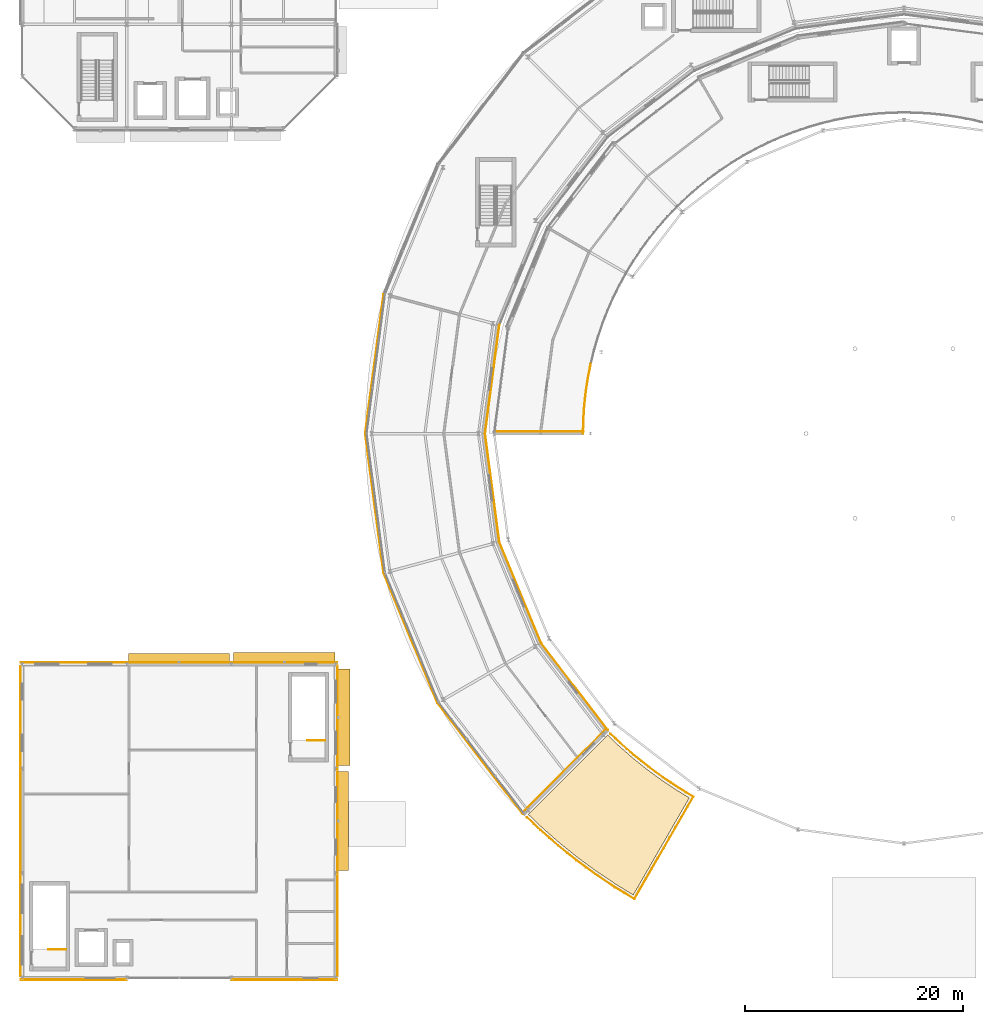
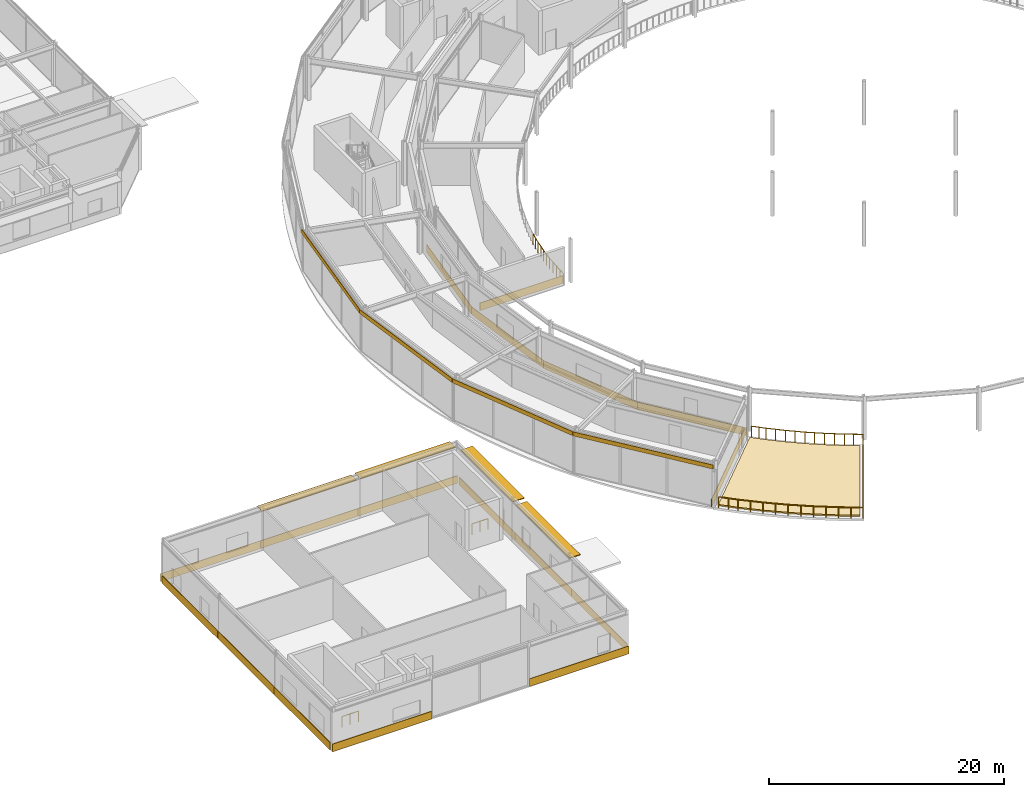
# One storey, part 116 of 133: 22 coverings, 20 railings, 4 shading devices.
"""IFC4 building model written with IfcOpenShell, lengths in metres."""

from ifc_helpers import new_model, si_unit, direction, frame, origin, origin_2d, place, context, subcontext, project, spatial, polyline, rectangle, circle, outline, extrude, material, layer, layer_set, type_object, element, save


model = new_model("IFC4")

# Units and contexts
model_context = context("Model", 3, precision=1e-05, world=origin(), true_north=direction((0.0, 1.0)))
body_context = subcontext(model_context, "Body", "Model", "MODEL_VIEW")
ifc_project = project(units=[si_unit("LENGTHUNIT", "METRE"), si_unit("AREAUNIT", "SQUARE_METRE"), si_unit("VOLUMEUNIT", "CUBIC_METRE"), si_unit("PLANEANGLEUNIT", "RADIAN"), si_unit("MASSUNIT", "GRAM", prefix="KILO")], contexts=[model_context])

# Site, building, storey
site_placement = place(None, origin())
site = spatial("IfcSite", under=ifc_project, at=site_placement, CompositionType="ELEMENT")
building_placement = place(site_placement, origin())
building = spatial("IfcBuilding", under=site, at=building_placement, Name="Almandine Court Research Institute", CompositionType="ELEMENT")
storey_placement = place(building_placement, frame((0.0, 0.0, 9.800048828125)))
storey = spatial("IfcBuildingStorey", under=building, at=storey_placement, Name="L02", CompositionType="ELEMENT", Elevation=9.800048828125)

# Coverings
ifc_material_1 = material(Name="Extruded Cream-Ochre Seismic Terracotta Spandrel", Category="masonry")
ifc_layer_1 = layer(ifc_material_1, 0.054931640625)
ifc_layer_set_1 = layer_set([ifc_layer_1], Name="Extruded Cream-Ochre Seismic Terracotta Spandrel")
covering_type_1 = type_object("IfcCoveringType", Name="Cov-CLAD-TERR", PredefinedType="CLADDING", material=ifc_layer_set_1)
covering_1_placement = place(storey_placement, frame((5.819091796875, 10.876953125, 0.02001953125), z_axis=(0.0, 0.0, 1.0), x_axis=(0.0, 1.0, 0.0)))
element("IfcCovering", 1, at=covering_1_placement, inside=storey, type_object=covering_type_1, Name="L02 Facade Spandrel Cladding Band 23", PredefinedType="CLADDING", context=body_context, shape_type="SweptSolid", body=[
    extrude(rectangle(XDim=9.43701171875, YDim=0.054931640625, at=origin_2d()), origin(), (0.0, 0.0, 1.0), 0.800048828125),
])
covering_2_placement = place(storey_placement, frame((5.819091796875, 20.39990234375, 0.02001953125), z_axis=(0.0, 0.0, 1.0), x_axis=(0.0, 1.0, 0.0)))
element("IfcCovering", 2, at=covering_2_placement, inside=storey, type_object=covering_type_1, Name="L02 Facade Spandrel Cladding Band 24", PredefinedType="CLADDING", context=body_context, shape_type="SweptSolid", body=[
    extrude(rectangle(XDim=9.592041015625, YDim=0.054931640625, at=origin_2d()), origin(), (0.0, 0.0, 1.0), 0.800048828125),
])
covering_3_placement = place(storey_placement, frame((5.819091796875, 29.922119140625, 0.02001953125), z_axis=(0.0, 0.0, 1.0), x_axis=(0.0, 1.0, 0.0)))
element("IfcCovering", 3, at=covering_3_placement, inside=storey, type_object=covering_type_1, Name="L02 Facade Spandrel Cladding Band 25", PredefinedType="CLADDING", context=body_context, shape_type="SweptSolid", body=[
    extrude(rectangle(XDim=9.43701171875, YDim=0.054931640625, at=origin_2d()), origin(), (0.0, 0.0, 1.0), 0.800048828125),
])
covering_4_placement = place(storey_placement, frame((10.719970703125, 34.97998046875, 0.02001953125), z_axis=(0.0, 0.0, 1.0), x_axis=(1.0, 0.0, 0.0)))
element("IfcCovering", 4, at=covering_4_placement, inside=storey, type_object=covering_type_1, Name="L02 Facade Spandrel Cladding Band 26", PredefinedType="CLADDING", context=body_context, shape_type="SweptSolid", body=[
    extrude(rectangle(XDim=9.7509765625, YDim=0.054931640625, at=origin_2d()), origin(), (0.0, 0.0, 1.0), 0.800048828125),
])
covering_5_placement = place(storey_placement, frame((20.39990234375, 34.97998046875, 0.02001953125), z_axis=(0.0, 0.0, 1.0), x_axis=(1.0, 0.0, 0.0)))
element("IfcCovering", 5, at=covering_5_placement, inside=storey, type_object=covering_type_1, Name="L02 Facade Spandrel Cladding Band 27", PredefinedType="CLADDING", context=body_context, shape_type="SweptSolid", body=[
    extrude(rectangle(XDim=9.592041015625, YDim=0.054931640625, at=origin_2d()), origin(), (0.0, 0.0, 1.0), 0.800048828125),
])
covering_6_placement = place(storey_placement, frame((30.0791015625, 34.97998046875, 0.02001953125), z_axis=(0.0, 0.0, 1.0), x_axis=(1.0, 0.0, 0.0)))
element("IfcCovering", 6, at=covering_6_placement, inside=storey, type_object=covering_type_1, Name="L02 Facade Spandrel Cladding Band 28", PredefinedType="CLADDING", context=body_context, shape_type="SweptSolid", body=[
    extrude(rectangle(XDim=9.7509765625, YDim=0.054931640625, at=origin_2d()), origin(), (0.0, 0.0, 1.0), 0.800048828125),
])
covering_7_placement = place(storey_placement, frame((34.969970703125, 10.873046875, 0.02001953125), z_axis=(0.0, 0.0, 1.0), x_axis=(0.0, -1.0, 0.0)))
element("IfcCovering", 7, at=covering_7_placement, inside=storey, type_object=covering_type_1, Name="L02 Facade Spandrel Cladding Band 29", PredefinedType="CLADDING", context=body_context, shape_type="SweptSolid", body=[
    extrude(rectangle(XDim=9.447021484375, YDim=0.054931640625, at=origin_2d()), origin(), (0.0, 0.0, 1.0), 0.800048828125),
])
covering_8_placement = place(storey_placement, frame((34.969970703125, 20.39990234375, 0.02001953125), z_axis=(0.0, 0.0, 1.0), x_axis=(0.0, -1.0, 0.0)))
element("IfcCovering", 8, at=covering_8_placement, inside=storey, type_object=covering_type_1, Name="L02 Facade Spandrel Cladding Band 30", PredefinedType="CLADDING", context=body_context, shape_type="SweptSolid", body=[
    extrude(rectangle(XDim=9.592041015625, YDim=0.054931640625, at=origin_2d()), origin(), (0.0, 0.0, 1.0), 0.800048828125),
])
covering_9_placement = place(storey_placement, frame((34.969970703125, 29.927978515625, 0.02001953125), z_axis=(0.0, 0.0, 1.0), x_axis=(0.0, -1.0, 0.0)))
element("IfcCovering", 9, at=covering_9_placement, inside=storey, type_object=covering_type_1, Name="L02 Facade Spandrel Cladding Band 31", PredefinedType="CLADDING", context=body_context, shape_type="SweptSolid", body=[
    extrude(rectangle(XDim=9.447021484375, YDim=0.054931640625, at=origin_2d()), origin(), (0.0, 0.0, 1.0), 0.800048828125),
])
for number, where, z_axis, x_axis, name in (
    (10, (10.72607421875, 5.830078125, 0.02001953125), (0.0, 0.0, 1.0), (-1.0, 0.0, 0.0), "L02 Facade Spandrel Cladding Band 32"),
    (11, (30.074951171875, 5.830078125, 0.02001953125), (0.0, 0.0, 1.0), (-1.0, 0.0, 0.0), "L02 Facade Spandrel Cladding Band 33"),
):
    element("IfcCovering", number, at=place(storey_placement, frame(where, z_axis=z_axis, x_axis=x_axis)), inside=storey, type_object=covering_type_1, Name=name, PredefinedType="CLADDING", context=body_context, shape_type="SweptSolid", body=[
        extrude(rectangle(XDim=9.740966796875, YDim=0.054931640625, at=origin_2d()), origin(), (0.0, 0.0, 1.0), 0.800048828125),
    ])
covering_10_placement = place(storey_placement, frame((38.361083984375, 62.404052734375, 3.97998046875), z_axis=(0.0, 0.0, 1.0), x_axis=(0.13052619222, 0.991444861374, 0.0)))
element("IfcCovering", 12, at=covering_10_placement, inside=storey, type_object=covering_type_1, Name="L02 Drum Stacked Terracotta Ring Band 11", PredefinedType="CLADDING", context=body_context, shape_type="SweptSolid", body=[
    extrude(rectangle(XDim=12.8779296875, YDim=0.054931640625, at=origin_2d()), origin(), (0.0, 0.0, 1.0), 0.419921875),
])
covering_11_placement = place(storey_placement, frame((49.16796875, 60.98095703125, 0.02001953125), z_axis=(0.0, 0.0, 1.0), x_axis=(-0.13052619222, -0.991444861374, 0.0)))
element("IfcCovering", 13, at=covering_11_placement, inside=storey, type_object=covering_type_1, Name="L02 Facade Spandrel Cladding Band 363", PredefinedType="CLADDING", context=body_context, shape_type="SweptSolid", body=[
    extrude(rectangle(XDim=10.080078125, YDim=0.054931640625, at=origin_2d()), origin(), (0.0, 0.0, 1.0), 0.800048828125),
])
covering_12_placement = place(storey_placement, frame((38.361083984375, 49.595947265625, 3.97998046875), z_axis=(0.0, 0.0, 1.0), x_axis=(-0.13052619222, 0.991444861374, 0.0)))
element("IfcCovering", 14, at=covering_12_placement, inside=storey, type_object=covering_type_1, Name="L02 Drum Stacked Terracotta Ring Band 12", PredefinedType="CLADDING", context=body_context, shape_type="SweptSolid", body=[
    extrude(rectangle(XDim=12.8779296875, YDim=0.054931640625, at=origin_2d()), origin(), (0.0, 0.0, 1.0), 0.419921875),
])
covering_13_placement = place(storey_placement, frame((49.16796875, 51.01904296875, 0.02001953125), z_axis=(0.0, 0.0, 1.0), x_axis=(0.13052619222, -0.991444861374, 0.0)))
element("IfcCovering", 15, at=covering_13_placement, inside=storey, type_object=covering_type_1, Name="L02 Facade Spandrel Cladding Band 365", PredefinedType="CLADDING", context=body_context, shape_type="SweptSolid", body=[
    extrude(rectangle(XDim=10.080078125, YDim=0.054931640625, at=origin_2d()), origin(), (0.0, 0.0, 1.0), 0.800048828125),
])
covering_14_placement = place(storey_placement, frame((41.676025390625, 37.22607421875, 3.97998046875), z_axis=(0.0, 0.0, 1.0), x_axis=(-0.382683432365, 0.923879532511, 0.0)))
element("IfcCovering", 16, at=covering_14_placement, inside=storey, type_object=covering_type_1, Name="L02 Drum Stacked Terracotta Ring Band 13", PredefinedType="CLADDING", context=body_context, shape_type="SweptSolid", body=[
    extrude(rectangle(XDim=12.8779296875, YDim=0.054931640625, at=origin_2d()), origin(), (0.0, 0.0, 1.0), 0.419921875),
])
covering_15_placement = place(storey_placement, frame((51.74609375, 41.39697265625, 0.02001953125), z_axis=(0.0, 0.0, 1.0), x_axis=(0.382683432365, -0.923879532511, 0.0)))
element("IfcCovering", 17, at=covering_15_placement, inside=storey, type_object=covering_type_1, Name="L02 Facade Spandrel Cladding Band 367", PredefinedType="CLADDING", context=body_context, shape_type="SweptSolid", body=[
    extrude(rectangle(XDim=10.080078125, YDim=0.054931640625, at=origin_2d()), origin(), (0.0, 0.0, 1.0), 0.800048828125),
])
covering_16_placement = place(storey_placement, frame((48.080078125, 26.135009765625, 3.97998046875), z_axis=(0.0, 0.0, 1.0), x_axis=(-0.608761429009, 0.793353340291, 0.0)))
element("IfcCovering", 18, at=covering_16_placement, inside=storey, type_object=covering_type_1, Name="L02 Drum Stacked Terracotta Ring Band 14", PredefinedType="CLADDING", context=body_context, shape_type="SweptSolid", body=[
    extrude(rectangle(XDim=12.8779296875, YDim=0.054931640625, at=origin_2d()), origin(), (0.0, 0.0, 1.0), 0.419921875),
])
covering_17_placement = place(storey_placement, frame((56.72607421875, 32.77001953125, 0.02001953125), z_axis=(0.0, 0.0, 1.0), x_axis=(0.608761429009, -0.793353340291, 0.0)))
element("IfcCovering", 19, at=covering_17_placement, inside=storey, type_object=covering_type_1, Name="L02 Facade Spandrel Cladding Band 369", PredefinedType="CLADDING", context=body_context, shape_type="SweptSolid", body=[
    extrude(rectangle(XDim=10.080078125, YDim=0.054931640625, at=origin_2d()), origin(), (0.0, 0.0, 1.0), 0.800048828125),
])
covering_18_placement = place(storey_placement, frame((55.76611328125, 25.008056640625, 0.02001953125), z_axis=(0.0, 0.0, 1.0), x_axis=(0.707106781187, 0.707106781187, 0.0)))
element("IfcCovering", 20, at=covering_18_placement, inside=storey, type_object=covering_type_1, Name="L02 Facade Spandrel Cladding Band 371", PredefinedType="CLADDING", context=body_context, shape_type="SweptSolid", body=[
    extrude(rectangle(XDim=10.951904296875, YDim=0.054931640625, at=origin_2d()), origin(), (0.0, 0.0, 1.0), 0.800048828125),
])
covering_19_placement = place(storey_placement, frame((53.47509765625, 56.169921875, 0.02001953125), z_axis=(0.0, 0.0, 1.0), x_axis=(1.0, 0.0, 0.0)))
element("IfcCovering", 21, at=covering_19_placement, inside=storey, type_object=covering_type_1, Name="L02 Facade Spandrel Cladding Band 463", PredefinedType="CLADDING", context=body_context, shape_type="SweptSolid", body=[
    extrude(rectangle(XDim=8.201904296875, YDim=0.054931640625, at=origin_2d()), origin(), (0.0, 0.0, 1.0), 0.800048828125),
])
ifc_material_2 = material(Name="Extensive Andean Sedum Planted Green Roof Build-Up")
ifc_layer_2 = layer(ifc_material_2, 0.139892578125)
ifc_layer_set_2 = layer_set([ifc_layer_2], Name="Extensive Andean Sedum Planted Green Roof Build-Up")
covering_type_2 = type_object("IfcCoveringType", Name="Cov-ROOF-GREEN", PredefinedType="ROOFING", material=ifc_layer_set_2)
covering_20_placement = place(storey_placement, origin())
element("IfcCovering", 22, at=covering_20_placement, inside=storey, type_object=covering_type_2, Name="L02 Planted Green Roof Covering 13", PredefinedType="ROOFING", context=body_context, shape_type="SweptSolid", body=[
    extrude(outline(polyline([(52.498046875, 21.0029296875), (59.781005859375, 28.285888671875), (60.75390625, 27.35693359375), (62.028076171875, 26.239013671875), (63.35009765625, 25.177978515625), (64.716064453125, 24.176025390625), (66.1259765625, 23.23388671875), (67.27587890625, 22.535888671875), (62.1259765625, 13.616943359375), (60.592041015625, 14.547119140625), (58.80908203125, 15.739013671875), (57.0791015625, 17.007080078125), (55.406982421875, 18.34912109375), (53.7939453125, 19.762939453125), (52.498046875, 21.0029296875)])), origin(), (0.0, 0.0, 1.0), 0.139892578125),
])

# Railings
ifc_material_3 = material(Name="Architectural Powder-Coated Aluminium Balustrade", Category="aluminium")
railing_type_1 = type_object("IfcRailingType", Name="Rail-BAL-EXT", PredefinedType="BALUSTRADE", material=ifc_material_3)
railing_1_placement = place(storey_placement, frame((60.044921875, 28.407958984375, 0.0)))
element("IfcRailing", 23, at=railing_1_placement, inside=storey, type_object=railing_type_1, Name="L02 Terrace Perimeter Balustrade 063", PredefinedType="BALUSTRADE", context=body_context, shape_type="SweptSolid", body=[
    extrude(circle(Radius=0.02392578125, at=origin_2d()), frame((0.0, 0.0, 1.1259765625), z_axis=(0.72277086017, -0.691087753971, 0.0), x_axis=(0.691087753971, 0.72277086017, 0.0)), (0.0, 0.0, 1.0), 1.23291015625),
    extrude(circle(Radius=0.02099609375, at=origin_2d()), origin(), (0.0, 0.0, 1.0), 1.101806640625),
    extrude(circle(Radius=0.02099609375, at=origin_2d()), frame((0.445556640625, -0.426025390625, 0.0)), (0.0, 0.0, 1.0), 1.101806640625),
    extrude(circle(Radius=0.02099609375, at=origin_2d()), frame((0.89111328125, -0.85205078125, 0.0)), (0.0, 0.0, 1.0), 1.101806640625),
])
railing_2_placement = place(storey_placement, frame((60.93603515625, 27.555908203125, 0.0)))
element("IfcRailing", 24, at=railing_2_placement, inside=storey, type_object=railing_type_1, Name="L02 Terrace Perimeter Balustrade 064", PredefinedType="BALUSTRADE", context=body_context, shape_type="SweptSolid", body=[
    extrude(circle(Radius=0.02392578125, at=origin_2d()), frame((0.0, 0.0, 1.1259765625), z_axis=(0.751920530231, -0.659253757074, 0.0), x_axis=(0.659253757074, 0.751920530231, 0.0)), (0.0, 0.0, 1.0), 1.68359375),
    extrude(circle(Radius=0.02099609375, at=origin_2d()), origin(), (0.0, 0.0, 1.0), 1.101806640625),
    extrude(circle(Radius=0.02099609375, at=origin_2d()), frame((0.6328125, -0.554931640625, 0.0)), (0.0, 0.0, 1.0), 1.101806640625),
    extrude(circle(Radius=0.02099609375, at=origin_2d()), frame((1.265869140625, -1.10986328125, 0.0)), (0.0, 0.0, 1.0), 1.101806640625),
])
railing_3_placement = place(storey_placement, frame((62.201904296875, 26.446044921875, 0.0)))
element("IfcRailing", 25, at=railing_3_placement, inside=storey, type_object=railing_type_1, Name="L02 Terrace Perimeter Balustrade 065", PredefinedType="BALUSTRADE", context=body_context, shape_type="SweptSolid", body=[
    extrude(circle(Radius=0.02392578125, at=origin_2d()), frame((0.0, 0.0, 1.1259765625), z_axis=(0.779890929123, -0.625915440512, 0.0), x_axis=(0.625915440512, 0.779890929123, 0.0)), (0.0, 0.0, 1.0), 1.682373046875),
    extrude(circle(Radius=0.02099609375, at=origin_2d()), origin(), (0.0, 0.0, 1.0), 1.101806640625),
    extrude(circle(Radius=0.02099609375, at=origin_2d()), frame((0.656005859375, -0.5263671875, 0.0)), (0.0, 0.0, 1.0), 1.101806640625),
    extrude(circle(Radius=0.02099609375, at=origin_2d()), frame((1.31201171875, -1.052978515625, 0.0)), (0.0, 0.0, 1.0), 1.101806640625),
])
railing_4_placement = place(storey_placement, frame((63.513916015625, 25.39306640625, 0.0)))
element("IfcRailing", 26, at=railing_4_placement, inside=storey, type_object=railing_type_1, Name="L02 Terrace Perimeter Balustrade 066", PredefinedType="BALUSTRADE", context=body_context, shape_type="SweptSolid", body=[
    extrude(circle(Radius=0.02392578125, at=origin_2d()), frame((0.0, 0.0, 1.1259765625), z_axis=(0.806169797472, -0.591684255025, 0.0), x_axis=(0.591684255025, 0.806169797472, 0.0)), (0.0, 0.0, 1.0), 1.68359375),
    extrude(circle(Radius=0.02099609375, at=origin_2d()), origin(), (0.0, 0.0, 1.0), 1.101806640625),
    extrude(circle(Radius=0.02099609375, at=origin_2d()), frame((0.6787109375, -0.498046875, 0.0)), (0.0, 0.0, 1.0), 1.101806640625),
    extrude(circle(Radius=0.02099609375, at=origin_2d()), frame((1.357177734375, -0.99609375, 0.0)), (0.0, 0.0, 1.0), 1.101806640625),
])
railing_5_placement = place(storey_placement, frame((64.87109375, 24.39697265625, 0.0)))
element("IfcRailing", 27, at=railing_5_placement, inside=storey, type_object=railing_type_1, Name="L02 Terrace Perimeter Balustrade 067", PredefinedType="BALUSTRADE", context=body_context, shape_type="SweptSolid", body=[
    extrude(circle(Radius=0.02392578125, at=origin_2d()), frame((0.0, 0.0, 1.1259765625), z_axis=(0.831559123133, -0.555436247227, 0.0), x_axis=(0.555436247227, 0.831559123133, 0.0)), (0.0, 0.0, 1.0), 1.683349609375),
    extrude(circle(Radius=0.02099609375, at=origin_2d()), origin(), (0.0, 0.0, 1.0), 1.101806640625),
    extrude(circle(Radius=0.02099609375, at=origin_2d()), frame((0.699951171875, -0.467529296875, 0.0)), (0.0, 0.0, 1.0), 1.101806640625),
    extrude(circle(Radius=0.02099609375, at=origin_2d()), frame((1.39990234375, -0.93505859375, 0.0)), (0.0, 0.0, 1.0), 1.101806640625),
])
railing_6_placement = place(storey_placement, frame((66.27099609375, 23.4619140625, 0.0)))
element("IfcRailing", 28, at=railing_6_placement, inside=storey, type_object=railing_type_1, Name="L02 Terrace Perimeter Balustrade 068", PredefinedType="BALUSTRADE", context=body_context, shape_type="SweptSolid", body=[
    extrude(circle(Radius=0.02392578125, at=origin_2d()), frame((0.0, 0.0, 1.1259765625), z_axis=(0.854903259764, -0.518787448233, 0.0), x_axis=(0.518787448233, 0.854903259764, 0.0)), (0.0, 0.0, 1.0), 1.603759765625),
    extrude(circle(Radius=0.02099609375, at=origin_2d()), origin(), (0.0, 0.0, 1.0), 1.101806640625),
    extrude(circle(Radius=0.02099609375, at=origin_2d()), frame((0.685546875, -0.416015625, 0.0)), (0.0, 0.0, 1.0), 1.101806640625),
    extrude(circle(Radius=0.02099609375, at=origin_2d()), frame((1.37109375, -0.83203125, 0.0)), (0.0, 0.0, 1.0), 1.101806640625),
])
railing_7_placement = place(storey_placement, frame((67.64208984375, 22.6298828125, 0.0)))
element("IfcRailing", 29, at=railing_7_placement, inside=storey, type_object=railing_type_1, Name="L02 Terrace Perimeter Balustrade 069", PredefinedType="BALUSTRADE", context=body_context, shape_type="SweptSolid", body=[
    extrude(circle(Radius=0.02392578125, at=origin_2d()), frame((0.0, 0.0, 1.1259765625), z_axis=(-0.500041546612, -0.866001415508, 0.0), x_axis=(0.866001415508, -0.500041546612, 0.0)), (0.0, 0.0, 1.0), 10.83935546875),
    extrude(circle(Radius=0.02099609375, at=origin_2d()), origin(), (0.0, 0.0, 1.0), 1.101806640625),
    extrude(circle(Radius=0.02099609375, at=origin_2d()), frame((-0.5419921875, -0.938720703125, 0.0)), (0.0, 0.0, 1.0), 1.101806640625),
    extrude(circle(Radius=0.02099609375, at=origin_2d()), frame((-1.083984375, -1.87744140625, 0.0)), (0.0, 0.0, 1.0), 1.101806640625),
    extrude(circle(Radius=0.02099609375, at=origin_2d()), frame((-1.6259765625, -2.816162109375, 0.0)), (0.0, 0.0, 1.0), 1.101806640625),
    extrude(circle(Radius=0.02099609375, at=origin_2d()), frame((-2.16796875, -3.7548828125, 0.0)), (0.0, 0.0, 1.0), 1.101806640625),
    extrude(circle(Radius=0.02099609375, at=origin_2d()), frame((-2.7099609375, -4.693359375, 0.0)), (0.0, 0.0, 1.0), 1.101806640625),
    extrude(circle(Radius=0.02099609375, at=origin_2d()), frame((-3.252197265625, -5.632080078125, 0.0)), (0.0, 0.0, 1.0), 1.101806640625),
    extrude(circle(Radius=0.02099609375, at=origin_2d()), frame((-3.794189453125, -6.57080078125, 0.0)), (0.0, 0.0, 1.0), 1.101806640625),
    extrude(circle(Radius=0.02099609375, at=origin_2d()), frame((-4.336181640625, -7.509521484375, 0.0)), (0.0, 0.0, 1.0), 1.101806640625),
    extrude(circle(Radius=0.02099609375, at=origin_2d()), frame((-4.878173828125, -8.4482421875, 0.0)), (0.0, 0.0, 1.0), 1.101806640625),
    extrude(circle(Radius=0.02099609375, at=origin_2d()), frame((-5.420166015625, -9.386962890625, 0.0)), (0.0, 0.0, 1.0), 1.101806640625),
])
railing_8_placement = place(storey_placement, frame((62.221923828125, 13.242919921875, 0.0)))
element("IfcRailing", 30, at=railing_8_placement, inside=storey, type_object=railing_type_1, Name="L02 Terrace Perimeter Balustrade 070", PredefinedType="BALUSTRADE", context=body_context, shape_type="SweptSolid", body=[
    extrude(circle(Radius=0.02392578125, at=origin_2d()), frame((0.0, 0.0, 1.1259765625), z_axis=(-0.855096704819, 0.518468538493, 0.0), x_axis=(-0.518468538493, -0.855096704819, 0.0)), (0.0, 0.0, 1.0), 2.07568359375),
    extrude(circle(Radius=0.02099609375, at=origin_2d()), origin(), (0.0, 0.0, 1.0), 1.101806640625),
    extrude(circle(Radius=0.02099609375, at=origin_2d()), frame((-0.887451171875, 0.5380859375, 0.0)), (0.0, 0.0, 1.0), 1.101806640625),
    extrude(circle(Radius=0.02099609375, at=origin_2d()), frame((-1.77490234375, 1.076171875, 0.0)), (0.0, 0.0, 1.0), 1.101806640625),
])
railing_9_placement = place(storey_placement, frame((60.447021484375, 14.319091796875, 0.0)))
element("IfcRailing", 31, at=railing_9_placement, inside=storey, type_object=railing_type_1, Name="L02 Terrace Perimeter Balustrade 071", PredefinedType="BALUSTRADE", context=body_context, shape_type="SweptSolid", body=[
    extrude(circle(Radius=0.02392578125, at=origin_2d()), frame((0.0, 0.0, 1.1259765625), z_axis=(-0.831265842428, 0.555875075186, 0.0), x_axis=(-0.555875075186, -0.831265842428, 0.0)), (0.0, 0.0, 1.0), 2.156982421875),
    extrude(circle(Radius=0.02099609375, at=origin_2d()), origin(), (0.0, 0.0, 1.0), 1.101806640625),
    extrude(circle(Radius=0.02099609375, at=origin_2d()), frame((-0.896484375, 0.599609375, 0.0)), (0.0, 0.0, 1.0), 1.101806640625),
    extrude(circle(Radius=0.02099609375, at=origin_2d()), frame((-1.79296875, 1.198974609375, 0.0)), (0.0, 0.0, 1.0), 1.101806640625),
])
railing_10_placement = place(storey_placement, frame((58.654052734375, 15.51806640625, 0.0)))
element("IfcRailing", 32, at=railing_10_placement, inside=storey, type_object=railing_type_1, Name="L02 Terrace Perimeter Balustrade 072", PredefinedType="BALUSTRADE", context=body_context, shape_type="SweptSolid", body=[
    extrude(circle(Radius=0.02392578125, at=origin_2d()), frame((0.0, 0.0, 1.1259765625), z_axis=(-0.806703737756, 0.590956072387, 0.0), x_axis=(-0.590956072387, -0.806703737756, 0.0)), (0.0, 0.0, 1.0), 2.15576171875),
    extrude(circle(Radius=0.02099609375, at=origin_2d()), origin(), (0.0, 0.0, 1.0), 1.101806640625),
    extrude(circle(Radius=0.02099609375, at=origin_2d()), frame((-0.86962890625, 0.636962890625, 0.0)), (0.0, 0.0, 1.0), 1.101806640625),
    extrude(circle(Radius=0.02099609375, at=origin_2d()), frame((-1.739013671875, 1.27392578125, 0.0)), (0.0, 0.0, 1.0), 1.101806640625),
])
railing_11_placement = place(storey_placement, frame((56.9150390625, 16.7919921875, 0.0)))
element("IfcRailing", 33, at=railing_11_placement, inside=storey, type_object=railing_type_1, Name="L02 Terrace Perimeter Balustrade 073", PredefinedType="BALUSTRADE", context=body_context, shape_type="SweptSolid", body=[
    extrude(circle(Radius=0.02392578125, at=origin_2d()), frame((0.0, 0.0, 1.1259765625), z_axis=(-0.779873964339, 0.625936578054, 0.0), x_axis=(-0.625936578054, -0.779873964339, 0.0)), (0.0, 0.0, 1.0), 2.156982421875),
    extrude(circle(Radius=0.02099609375, at=origin_2d()), origin(), (0.0, 0.0, 1.0), 1.101806640625),
    extrude(circle(Radius=0.02099609375, at=origin_2d()), frame((-0.841064453125, 0.675048828125, 0.0)), (0.0, 0.0, 1.0), 1.101806640625),
    extrude(circle(Radius=0.02099609375, at=origin_2d()), frame((-1.68212890625, 1.35009765625, 0.0)), (0.0, 0.0, 1.0), 1.101806640625),
])
railing_12_placement = place(storey_placement, frame((55.23291015625, 18.14208984375, 0.0)))
element("IfcRailing", 34, at=railing_12_placement, inside=storey, type_object=railing_type_1, Name="L02 Terrace Perimeter Balustrade 074", PredefinedType="BALUSTRADE", context=body_context, shape_type="SweptSolid", body=[
    extrude(circle(Radius=0.02392578125, at=origin_2d()), frame((0.0, 0.0, 1.1259765625), z_axis=(-0.751741386385, 0.659458025954, 0.0), x_axis=(-0.659458025954, -0.751741386385, 0.0)), (0.0, 0.0, 1.0), 2.156005859375),
    extrude(circle(Radius=0.02099609375, at=origin_2d()), origin(), (0.0, 0.0, 1.0), 1.101806640625),
    extrude(circle(Radius=0.02099609375, at=origin_2d()), frame((-0.810546875, 0.7109375, 0.0)), (0.0, 0.0, 1.0), 1.101806640625),
    extrude(circle(Radius=0.02099609375, at=origin_2d()), frame((-1.620849609375, 1.421875, 0.0)), (0.0, 0.0, 1.0), 1.101806640625),
])
railing_13_placement = place(storey_placement, frame((53.612060546875, 19.56396484375, 0.0)))
element("IfcRailing", 35, at=railing_13_placement, inside=storey, type_object=railing_type_1, Name="L02 Terrace Perimeter Balustrade 075", PredefinedType="BALUSTRADE", context=body_context, shape_type="SweptSolid", body=[
    extrude(circle(Radius=0.02392578125, at=origin_2d()), frame((0.0, 0.0, 1.1259765625), z_axis=(-0.722812767445, 0.691043922786, 0.0), x_axis=(-0.691043922786, -0.722812767445, 0.0)), (0.0, 0.0, 1.0), 1.7060546875),
    extrude(circle(Radius=0.02099609375, at=origin_2d()), origin(), (0.0, 0.0, 1.0), 1.101806640625),
    extrude(circle(Radius=0.02099609375, at=origin_2d()), frame((-0.61669921875, 0.58935546875, 0.0)), (0.0, 0.0, 1.0), 1.101806640625),
    extrude(circle(Radius=0.02099609375, at=origin_2d()), frame((-1.233154296875, 1.178955078125, 0.0)), (0.0, 0.0, 1.0), 1.101806640625),
])
ifc_material_4 = material(Name="Powder-Coated Steel Stair and Atrium Balustrade", Category="steel")
railing_type_2 = type_object("IfcRailingType", Name="Rail-GUARD-INT", PredefinedType="BALUSTRADE", material=ifc_material_4)
for number, where, name in (
    (36, (10.0, 8.60009765625, 0.0), "L02 ST-01 top well guard 1"),
    (37, (33.800048828125, 27.800048828125, 0.0), "L02 ST-02 top well guard 1"),
):
    element("IfcRailing", number, at=place(storey_placement, frame(where)), inside=storey, type_object=railing_type_2, Name=name, PredefinedType="BALUSTRADE", context=body_context, shape_type="SweptSolid", body=[
        extrude(circle(Radius=0.02392578125, at=origin_2d()), frame((0.0, 0.0, 1.09619140625), z_axis=(-1.0, 0.0, 0.0), x_axis=(0.0, -1.0, 0.0)), (0.0, 0.0, 1.0), 1.580078125),
        extrude(circle(Radius=0.02099609375, at=origin_2d()), origin(), (0.0, 0.0, 1.0), 1.072021484375),
        extrude(circle(Radius=0.02099609375, at=origin_2d()), frame((-0.7900390625, 0.0, 0.0)), (0.0, 0.0, 1.0), 1.072021484375),
        extrude(circle(Radius=0.02099609375, at=origin_2d()), frame((-1.580078125, 0.0, 0.0)), (0.0, 0.0, 1.0), 1.072021484375),
    ])
railing_14_placement = place(storey_placement, frame((58.218994140625, 62.381103515625, 0.0)))
element("IfcRailing", 38, at=railing_14_placement, inside=storey, type_object=railing_type_2, Name="L02 Atrium Gallery Void Balustrade 074", PredefinedType="BALUSTRADE", context=body_context, shape_type="SweptSolid", body=[
    extrude(circle(Radius=0.02392578125, at=origin_2d()), frame((0.0, 0.0, 1.09619140625), z_axis=(-0.195021534149, -0.980798960653, 0.0), x_axis=(0.980798960653, -0.195021534149, 0.0)), (0.0, 0.0, 1.0), 1.286865234375),
    extrude(circle(Radius=0.02099609375, at=origin_2d()), origin(), (0.0, 0.0, 1.0), 1.072021484375),
    extrude(circle(Radius=0.02099609375, at=origin_2d()), frame((-0.12548828125, -0.631103515625, 0.0)), (0.0, 0.0, 1.0), 1.072021484375),
    extrude(circle(Radius=0.02099609375, at=origin_2d()), frame((-0.2509765625, -1.26220703125, 0.0)), (0.0, 0.0, 1.0), 1.072021484375),
])
railing_15_placement = place(storey_placement, frame((57.968017578125, 61.118896484375, 0.0)))
element("IfcRailing", 39, at=railing_15_placement, inside=storey, type_object=railing_type_2, Name="L02 Atrium Gallery Void Balustrade 075", PredefinedType="BALUSTRADE", context=body_context, shape_type="SweptSolid", body=[
    extrude(circle(Radius=0.02392578125, at=origin_2d()), frame((0.0, 0.0, 1.09619140625), z_axis=(-0.152442341489, -0.988312365865, 0.0), x_axis=(0.988312365865, -0.152442341489, 0.0)), (0.0, 0.0, 1.0), 1.2861328125),
    extrude(circle(Radius=0.02099609375, at=origin_2d()), origin(), (0.0, 0.0, 1.0), 1.072021484375),
    extrude(circle(Radius=0.02099609375, at=origin_2d()), frame((-0.09814453125, -0.635498046875, 0.0)), (0.0, 0.0, 1.0), 1.072021484375),
    extrude(circle(Radius=0.02099609375, at=origin_2d()), frame((-0.196044921875, -1.27099609375, 0.0)), (0.0, 0.0, 1.0), 1.072021484375),
])
railing_16_placement = place(storey_placement, frame((57.77197265625, 59.847900390625, 0.0)))
element("IfcRailing", 40, at=railing_16_placement, inside=storey, type_object=railing_type_2, Name="L02 Atrium Gallery Void Balustrade 076", PredefinedType="BALUSTRADE", context=body_context, shape_type="SweptSolid", body=[
    extrude(circle(Radius=0.02392578125, at=origin_2d()), frame((0.0, 0.0, 1.09619140625), z_axis=(-0.108744172855, -0.994069768613, 0.0), x_axis=(0.994069768613, -0.108744172855, 0.0)), (0.0, 0.0, 1.0), 1.286376953125),
    extrude(circle(Radius=0.02099609375, at=origin_2d()), origin(), (0.0, 0.0, 1.0), 1.072021484375),
    extrude(circle(Radius=0.02099609375, at=origin_2d()), frame((-0.06982421875, -0.639404296875, 0.0)), (0.0, 0.0, 1.0), 1.072021484375),
    extrude(circle(Radius=0.02099609375, at=origin_2d()), frame((-0.139892578125, -1.27880859375, 0.0)), (0.0, 0.0, 1.0), 1.072021484375),
])
railing_17_placement = place(storey_placement, frame((57.632080078125, 58.569091796875, 0.0)))
element("IfcRailing", 41, at=railing_17_placement, inside=storey, type_object=railing_type_2, Name="L02 Atrium Gallery Void Balustrade 077", PredefinedType="BALUSTRADE", context=body_context, shape_type="SweptSolid", body=[
    extrude(circle(Radius=0.02392578125, at=origin_2d()), frame((0.0, 0.0, 1.09619140625), z_axis=(-0.065309281592, -0.997865069906, 0.0), x_axis=(0.997865069906, -0.065309281592, 0.0)), (0.0, 0.0, 1.0), 1.285888671875),
    extrude(circle(Radius=0.02099609375, at=origin_2d()), origin(), (0.0, 0.0, 1.0), 1.072021484375),
    extrude(circle(Radius=0.02099609375, at=origin_2d()), frame((-0.0419921875, -0.6416015625, 0.0)), (0.0, 0.0, 1.0), 1.072021484375),
    extrude(circle(Radius=0.02099609375, at=origin_2d()), frame((-0.083984375, -1.283203125, 0.0)), (0.0, 0.0, 1.0), 1.072021484375),
])
railing_18_placement = place(storey_placement, frame((57.548095703125, 57.285888671875, 0.0)))
element("IfcRailing", 42, at=railing_18_placement, inside=storey, type_object=railing_type_2, Name="L02 Atrium Gallery Void Balustrade 078", PredefinedType="BALUSTRADE", context=body_context, shape_type="SweptSolid", body=[
    extrude(circle(Radius=0.02392578125, at=origin_2d()), frame((0.0, 0.0, 1.09619140625), z_axis=(-0.021828858561, -0.999761722079, 0.0), x_axis=(0.999761722079, -0.021828858561, 0.0)), (0.0, 0.0, 1.0), 1.2861328125),
    extrude(circle(Radius=0.02099609375, at=origin_2d()), origin(), (0.0, 0.0, 1.0), 1.072021484375),
    extrude(circle(Radius=0.02099609375, at=origin_2d()), frame((-0.01416015625, -0.64306640625, 0.0)), (0.0, 0.0, 1.0), 1.072021484375),
    extrude(circle(Radius=0.02099609375, at=origin_2d()), frame((-0.028076171875, -1.285888671875, 0.0)), (0.0, 0.0, 1.0), 1.072021484375),
])

# Shading devices
ifc_material_5 = material(Name="Precast GFRC Chhajja Sunshade and Acoustic Louvre", Category="concrete")
ifc_layer_3 = layer(ifc_material_5, 0.080078125)
ifc_layer_set_3 = layer_set([ifc_layer_3], Name="Precast GFRC Chhajja Sunshade and Acoustic Louvre")
shading_device_type_1 = type_object("IfcShadingDeviceType", Name="Shd-SD-03", PredefinedType="AWNING", material=ifc_layer_set_3)
shading_device_1_placement = place(storey_placement, frame((35.510009765625, 29.927978515625, 3.783935546875), z_axis=(0.0, 0.0, 1.0), x_axis=(0.0, -1.0, 0.0)))
element("IfcShadingDevice", 43, at=shading_device_1_placement, inside=storey, type_object=shading_device_type_1, Name="L02 Projecting Chhajja Sunshade 11", PredefinedType="AWNING", context=body_context, shape_type="SweptSolid", body=[
    extrude(rectangle(XDim=8.85693359375, YDim=1.14990234375, at=origin_2d()), origin(), (0.0, 0.0, 1.0), 0.080078125),
])
ifc_layer_4 = layer(ifc_material_5, 0.080078125)
ifc_layer_set_4 = layer_set([ifc_layer_4], Name="Precast GFRC Chhajja Sunshade and Acoustic Louvre")
shading_device_type_2 = type_object("IfcShadingDeviceType", Name="Shd-SD-04", PredefinedType="AWNING", material=ifc_layer_set_4)
shading_device_2_placement = place(storey_placement, frame((20.39990234375, 35.3701171875, 3.783935546875), z_axis=(0.0, 0.0, 1.0), x_axis=(1.0, 0.0, 0.0)))
element("IfcShadingDevice", 44, at=shading_device_2_placement, inside=storey, type_object=shading_device_type_2, Name="L02 Projecting Chhajja Sunshade 8", PredefinedType="AWNING", context=body_context, shape_type="SweptSolid", body=[
    extrude(rectangle(XDim=9.241943359375, YDim=0.85009765625, at=origin_2d()), origin(), (0.0, 0.0, 1.0), 0.080078125),
])
ifc_layer_5 = layer(ifc_material_5, 0.080078125)
ifc_layer_set_5 = layer_set([ifc_layer_5], Name="Precast GFRC Chhajja Sunshade and Acoustic Louvre")
shading_device_type_3 = type_object("IfcShadingDeviceType", Name="Shd-SD-05", PredefinedType="AWNING", material=ifc_layer_set_5)
shading_device_3_placement = place(storey_placement, frame((30.0791015625, 35.419921875, 3.783935546875), z_axis=(0.0, 0.0, 1.0), x_axis=(1.0, 0.0, 0.0)))
element("IfcShadingDevice", 45, at=shading_device_3_placement, inside=storey, type_object=shading_device_type_3, Name="L02 Projecting Chhajja Sunshade 9", PredefinedType="AWNING", context=body_context, shape_type="SweptSolid", body=[
    extrude(rectangle(XDim=9.321044921875, YDim=0.949951171875, at=origin_2d()), origin(), (0.0, 0.0, 1.0), 0.080078125),
])
ifc_layer_6 = layer(ifc_material_5, 0.080078125)
ifc_layer_set_6 = layer_set([ifc_layer_6], Name="Precast GFRC Chhajja Sunshade and Acoustic Louvre")
shading_device_type_4 = type_object("IfcShadingDeviceType", Name="Shd-SD-06", PredefinedType="AWNING", material=ifc_layer_set_6)
shading_device_4_placement = place(storey_placement, frame((35.4599609375, 20.39990234375, 3.783935546875), z_axis=(0.0, 0.0, 1.0), x_axis=(0.0, -1.0, 0.0)))
element("IfcShadingDevice", 46, at=shading_device_4_placement, inside=storey, type_object=shading_device_type_4, Name="L02 Projecting Chhajja Sunshade 10", PredefinedType="AWNING", context=body_context, shape_type="SweptSolid", body=[
    extrude(rectangle(XDim=9.08203125, YDim=1.050048828125, at=origin_2d()), origin(), (0.0, 0.0, 1.0), 0.080078125),
])

save(model, "model.ifc")
